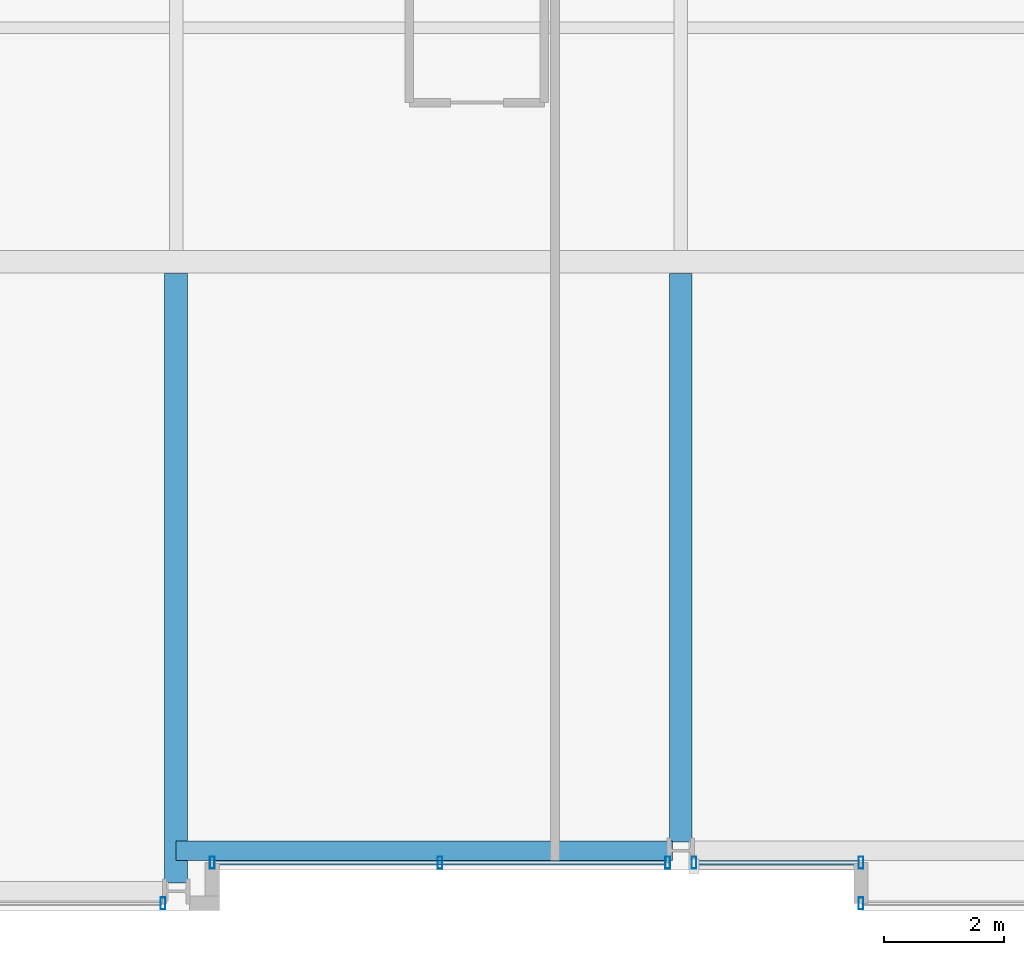
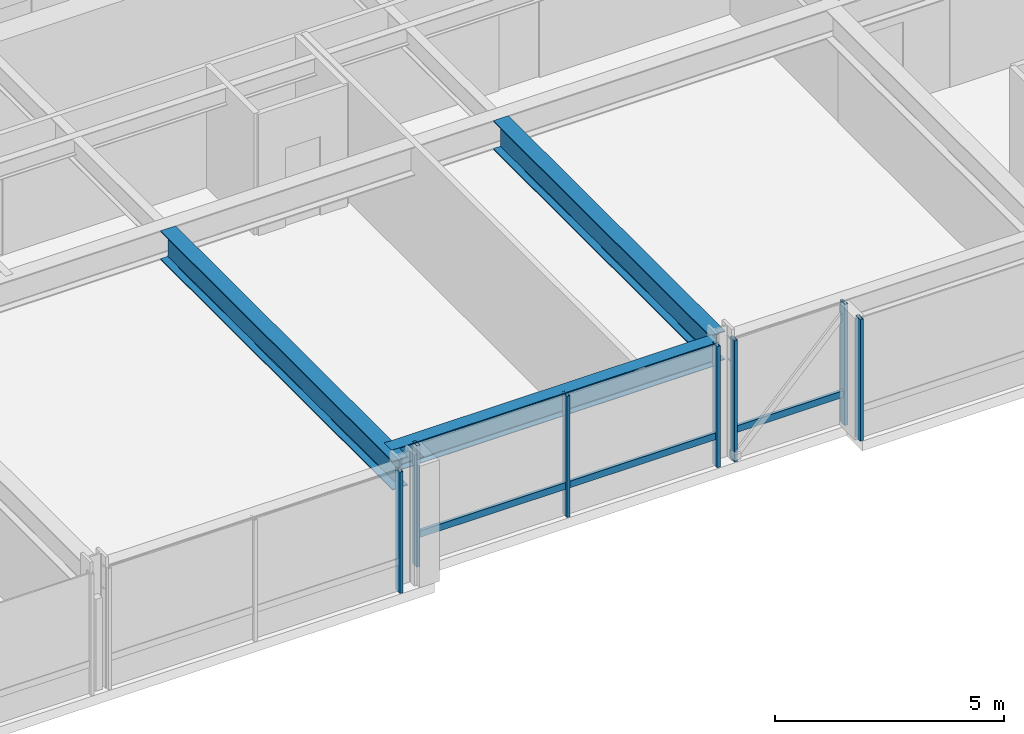
# One storey, part 5 of 34: 9 members, 3 beams, 4 elements without a shape of their own.
"""IFC4 building model written with IfcOpenShell, lengths in metres."""

from ifc_helpers import new_model, si_unit, direction, frame, origin, origin_2d, place, context, subcontext, project, spatial, hollow_rectangle, i_section, extrude, material, layer, layer_set, material_profile, profile_set, type_object, element, aggregate, save


model = new_model("IFC4")

# Units and contexts
model_context = context("Model", 3, precision=1e-05, world=origin(), true_north=direction((0.0, 1.0)))
body_context = subcontext(model_context, "Body", "Model", "MODEL_VIEW")
ifc_project = project(units=[si_unit("LENGTHUNIT", "METRE"), si_unit("AREAUNIT", "SQUARE_METRE"), si_unit("VOLUMEUNIT", "CUBIC_METRE"), si_unit("PLANEANGLEUNIT", "RADIAN"), si_unit("MASSUNIT", "GRAM", prefix="KILO")], contexts=[model_context])

# Site, building, storey
site_placement = place(None, origin())
site = spatial("IfcSite", under=ifc_project, at=site_placement, CompositionType="ELEMENT")
building_placement = place(site_placement, origin())
building = spatial("IfcBuilding", under=site, at=building_placement, Name="Drelvath Grand Hotel", CompositionType="ELEMENT")
storey_placement = place(building_placement, frame((0.0, 0.0, 109.300048828125)))
storey = spatial("IfcBuildingStorey", under=building, at=storey_placement, Name="L27", CompositionType="ELEMENT", Elevation=109.300048828125)

# Curtain wall, member
ifc_material_1 = material(Name="Champagne Bronze Anodised Aluminium Frame", Category="aluminium")
ifc_layer = layer(ifc_material_1, 0.199951171875)
ifc_layer_set = layer_set([ifc_layer], Name="Champagne Bronze Anodised Aluminium Frame")
curtain_wall_type = type_object("IfcCurtainWallType", Name="Stick Curtain Wall CW-03 Champagne Bronze Mid-Rise", PredefinedType="NOTDEFINED", material=ifc_layer_set)
curtain_wall_1_placement = place(storey_placement, origin())
curtain_wall_1 = element("IfcCurtainWall", 1, at=curtain_wall_1_placement, inside=storey, type_object=curtain_wall_type, Name="L27 CW-03 Curtain Wall CW03-L27-SM1", PredefinedType="NOTDEFINED")
ifc_material_profile_1 = material_profile(ifc_material_1, hollow_rectangle(XDim=0.074951171875, YDim=0.179931640625, WallThickness=0.0048828125, at=origin_2d()), Name="HSS180X75X5")
ifc_profile_set_1 = profile_set([ifc_material_profile_1], Name="Champagne Bronze Anodised Aluminium Frame")
member_type_1 = type_object("IfcMemberType", Name="Curtain Wall Horizontal Transom CW-03 HSS180X75X5", PredefinedType="USERDEFINED", material=ifc_profile_set_1)
member_1_placement = place(storey_placement, frame((-0.259521484375, 0.800048828125, 0.81005859375), z_axis=(-1.0, 0.0, 0.0), x_axis=(0.0, -1.0, 0.0)))
member_1 = element("IfcMember", 2, at=member_1_placement, type_object=member_type_1, Name="CW03-L27-SM1 Sill Transom", ObjectType="TRANSOM", PredefinedType="USERDEFINED", context=body_context, shape_type="SweptSolid", body=[
    extrude(hollow_rectangle(XDim=0.074951171875, YDim=0.179931640625, WallThickness=0.0048828125, at=origin_2d()), origin(), (0.0, 0.0, 1.0), 7.50048828125),
])

curtain_wall_2_placement = place(storey_placement, origin())
curtain_wall_2 = element("IfcCurtainWall", 3, at=curtain_wall_2_placement, inside=storey, type_object=curtain_wall_type, Name="L27 CW-03 Curtain Wall CW03-L27-SM2", PredefinedType="NOTDEFINED")
member_2_placement = place(storey_placement, frame((2.9599609375, 0.800048828125, 0.81005859375), z_axis=(-1.0, 0.0, 0.0), x_axis=(0.0, -1.0, 0.0)))
member_2 = element("IfcMember", 4, at=member_2_placement, type_object=member_type_1, Name="CW03-L27-SM2 Sill Transom", ObjectType="TRANSOM", PredefinedType="USERDEFINED", context=body_context, shape_type="SweptSolid", body=[
    extrude(hollow_rectangle(XDim=0.074951171875, YDim=0.179931640625, WallThickness=0.0048828125, at=origin_2d()), origin(), (0.0, 0.0, 1.0), 2.700439453125),
])

curtain_wall_3_placement = place(storey_placement, origin())
curtain_wall_3 = element("IfcCurtainWall", 5, at=curtain_wall_3_placement, inside=storey, type_object=curtain_wall_type, Name="L27 CW-03 Curtain Wall CW03-L27-SE1", PredefinedType="NOTDEFINED")
ifc_material_profile_2 = material_profile(ifc_material_1, hollow_rectangle(XDim=0.080078125, YDim=0.199951171875, WallThickness=0.0048828125, at=origin_2d()), Name="HSS200X80X5")
ifc_profile_set_2 = profile_set([ifc_material_profile_2], Name="Champagne Bronze Anodised Aluminium Frame")
member_type_2 = type_object("IfcMemberType", Name="Curtain Wall Vertical Mullion CW-03 HSS200X80X5", PredefinedType="MULLION", material=ifc_profile_set_2)
member_3_placement = place(storey_placement, frame((3.0, 0.1201171875, 0.0), z_axis=(0.0, 0.0, 1.0), x_axis=(1.0, 0.0, 0.0)))
member_3 = element("IfcMember", 6, at=member_3_placement, type_object=member_type_2, Name="CW03-L27-SE1 Mullion 2", PredefinedType="MULLION", context=body_context, shape_type="SweptSolid", body=[
    extrude(hollow_rectangle(XDim=0.080078125, YDim=0.199951171875, WallThickness=0.0048828125, at=origin_2d()), origin(), (0.0, 0.0, 1.0), 3.239990234375),
])
aggregate(curtain_wall_3, [member_3])

# Member
member_4_placement = place(storey_placement, frame((-0.219482421875, 0.800048828125, 0.0), z_axis=(0.0, 0.0, 1.0), x_axis=(1.0, 0.0, 0.0)))
member_4 = element("IfcMember", 7, at=member_4_placement, type_object=member_type_2, Name="CW03-L27-SM1 Mullion 1", PredefinedType="MULLION", context=body_context, shape_type="SweptSolid", body=[
    extrude(hollow_rectangle(XDim=0.080078125, YDim=0.199951171875, WallThickness=0.0048828125, at=origin_2d()), origin(), (0.0, 0.0, 1.0), 3.239990234375),
])

member_5_placement = place(storey_placement, frame((-4.009765625, 0.800048828125, 0.0), z_axis=(0.0, 0.0, 1.0), x_axis=(1.0, 0.0, 0.0)))
member_5 = element("IfcMember", 8, at=member_5_placement, type_object=member_type_2, Name="CW03-L27-SM1 Mullion 2", PredefinedType="MULLION", context=body_context, shape_type="SweptSolid", body=[
    extrude(hollow_rectangle(XDim=0.080078125, YDim=0.199951171875, WallThickness=0.0048828125, at=origin_2d()), origin(), (0.0, 0.0, 1.0), 3.239990234375),
])

member_6_placement = place(storey_placement, frame((-7.800048828125, 0.800048828125, 0.0), z_axis=(0.0, 0.0, 1.0), x_axis=(1.0, 0.0, 0.0)))
member_6 = element("IfcMember", 9, at=member_6_placement, type_object=member_type_2, Name="CW03-L27-SM1 Mullion 3", PredefinedType="MULLION", context=body_context, shape_type="SweptSolid", body=[
    extrude(hollow_rectangle(XDim=0.080078125, YDim=0.199951171875, WallThickness=0.0048828125, at=origin_2d()), origin(), (0.0, 0.0, 1.0), 3.239990234375),
])

aggregate(curtain_wall_1, [member_4, member_5, member_6, member_1])

member_7_placement = place(storey_placement, frame((3.0, 0.800048828125, 0.0), z_axis=(0.0, 0.0, 1.0), x_axis=(1.0, 0.0, 0.0)))
member_7 = element("IfcMember", 10, at=member_7_placement, type_object=member_type_2, Name="CW03-L27-SM2 Mullion 1", PredefinedType="MULLION", context=body_context, shape_type="SweptSolid", body=[
    extrude(hollow_rectangle(XDim=0.080078125, YDim=0.199951171875, WallThickness=0.0048828125, at=origin_2d()), origin(), (0.0, 0.0, 1.0), 3.239990234375),
])

member_8_placement = place(storey_placement, frame((0.219482421875, 0.800048828125, 0.0), z_axis=(0.0, 0.0, 1.0), x_axis=(1.0, 0.0, 0.0)))
member_8 = element("IfcMember", 11, at=member_8_placement, type_object=member_type_2, Name="CW03-L27-SM2 Mullion 2", PredefinedType="MULLION", context=body_context, shape_type="SweptSolid", body=[
    extrude(hollow_rectangle(XDim=0.080078125, YDim=0.199951171875, WallThickness=0.0048828125, at=origin_2d()), origin(), (0.0, 0.0, 1.0), 3.239990234375),
])

aggregate(curtain_wall_2, [member_7, member_8, member_2])

# Curtain wall, member
curtain_wall_4_placement = place(storey_placement, origin())
curtain_wall_4 = element("IfcCurtainWall", 12, at=curtain_wall_4_placement, inside=storey, type_object=curtain_wall_type, Name="L27 CW-03 Curtain Wall CW03-L27-SW2", PredefinedType="NOTDEFINED")
member_9_placement = place(storey_placement, frame((-8.61962890625, 0.1201171875, 0.0), z_axis=(0.0, 0.0, 1.0), x_axis=(1.0, 0.0, 0.0)))
member_9 = element("IfcMember", 13, at=member_9_placement, type_object=member_type_2, Name="CW03-L27-SW2 Mullion 1", PredefinedType="MULLION", context=body_context, shape_type="SweptSolid", body=[
    extrude(hollow_rectangle(XDim=0.080078125, YDim=0.199951171875, WallThickness=0.0048828125, at=origin_2d()), origin(), (0.0, 0.0, 1.0), 3.239990234375),
])
aggregate(curtain_wall_4, [member_9])

# Beams
ifc_material_2 = material(Name="Steel ASTM A992 Gr 50", Category="steel")
ifc_material_profile_3 = material_profile(ifc_material_2, i_section(OverallWidth=0.323974609375, OverallDepth=0.611083984375, WebThickness=0.0126953125, FlangeThickness=0.01904296875, FilletRadius=0.02197265625, at=origin_2d()), Name="W24X104")
ifc_profile_set_3 = profile_set([ifc_material_profile_3], Name="Steel ASTM A992 Gr 50")
beam_type_1 = type_object("IfcBeamType", Name="Perimeter Spandrel Beam W24X104", PredefinedType="SPANDREL", material=ifc_profile_set_3)
beam_1_placement = place(storey_placement, frame((-8.39990234375, 1.0, 2.9345703125), z_axis=(1.0, 0.0, 0.0), x_axis=(0.0, 1.0, 0.0)))
element("IfcBeam", 14, at=beam_1_placement, inside=storey, type_object=beam_type_1, Name="L27 Spandrel South Mid W", PredefinedType="SPANDREL", context=body_context, shape_type="SweptSolid", body=[
    extrude(i_section(OverallWidth=0.323974609375, OverallDepth=0.611083984375, WebThickness=0.0126953125, FlangeThickness=0.01904296875, FilletRadius=0.02197265625, at=origin_2d()), origin(), (0.0, 0.0, 1.0), 8.260009765625),
])
ifc_material_profile_4 = material_profile(ifc_material_2, i_section(OverallWidth=0.380615234375, OverallDepth=0.773193359375, WebThickness=0.0166015625, FlangeThickness=0.027099609375, FilletRadius=0.02490234375, at=origin_2d()), Name="W30X173")
ifc_profile_set_4 = profile_set([ifc_material_profile_4], Name="Steel ASTM A992 Gr 50")
beam_type_2 = type_object("IfcBeamType", Name="Primary Floor Girder W30X173", PredefinedType="BEAM", material=ifc_profile_set_4)
beam_2_placement = place(storey_placement, frame((-8.39990234375, 0.4599609375, 2.853271484375), z_axis=(0.0, 1.0, 0.0), x_axis=(-1.0, 0.0, 0.0)))
element("IfcBeam", 15, at=beam_2_placement, inside=storey, type_object=beam_type_2, Name="L27 South Wing Girder 4", PredefinedType="BEAM", context=body_context, shape_type="SweptSolid", body=[
    extrude(i_section(OverallWidth=0.380615234375, OverallDepth=0.773193359375, WebThickness=0.0166015625, FlangeThickness=0.027099609375, FilletRadius=0.02490234375, at=origin_2d()), origin(), (0.0, 0.0, 1.0), 10.149658203125),
])
beam_3_placement = place(storey_placement, frame((0.0, 1.139892578125, 2.853271484375), z_axis=(0.0, 1.0, 0.0), x_axis=(-1.0, 0.0, 0.0)))
element("IfcBeam", 16, at=beam_3_placement, inside=storey, type_object=beam_type_2, Name="L27 South Wing Girder 5", PredefinedType="BEAM", context=body_context, shape_type="SweptSolid", body=[
    extrude(i_section(OverallWidth=0.380615234375, OverallDepth=0.773193359375, WebThickness=0.0166015625, FlangeThickness=0.027099609375, FilletRadius=0.02490234375, at=origin_2d()), origin(), (0.0, 0.0, 1.0), 9.4697265625),
])

save(model, "model.ifc")
